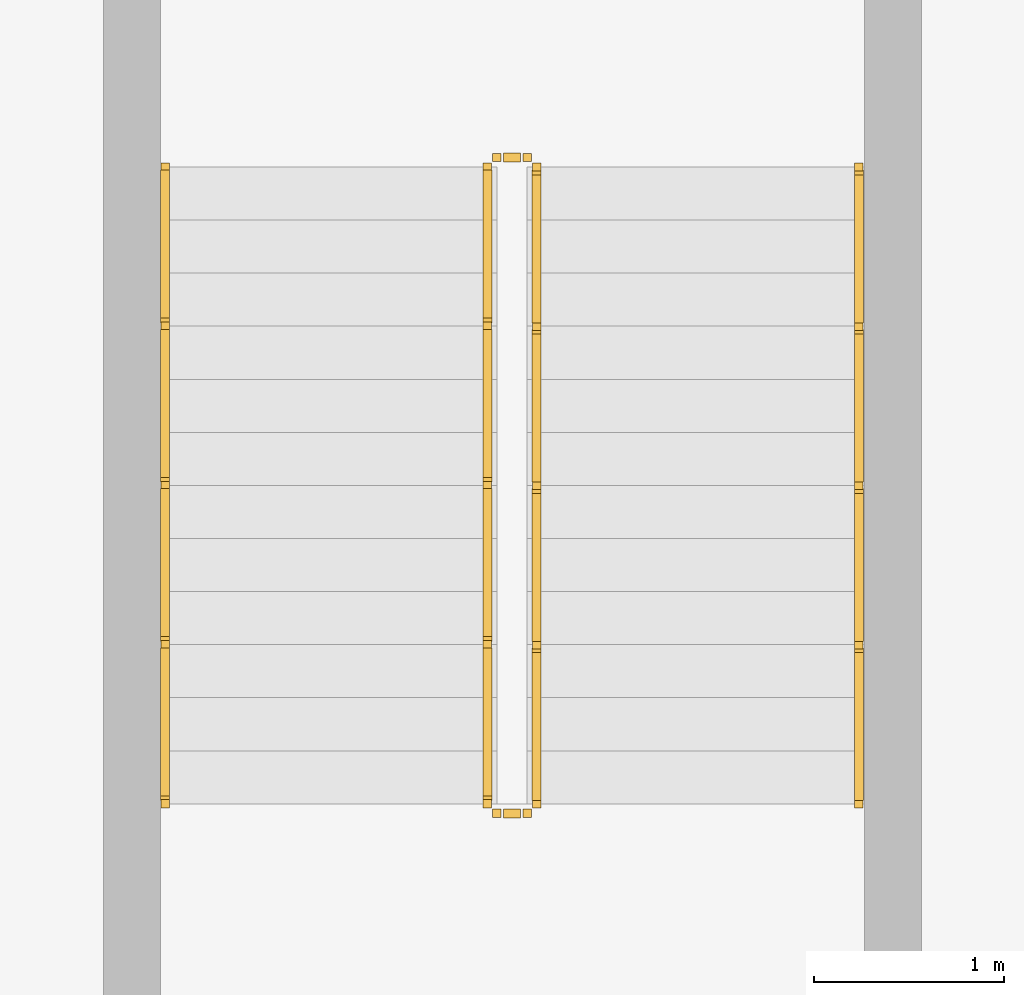
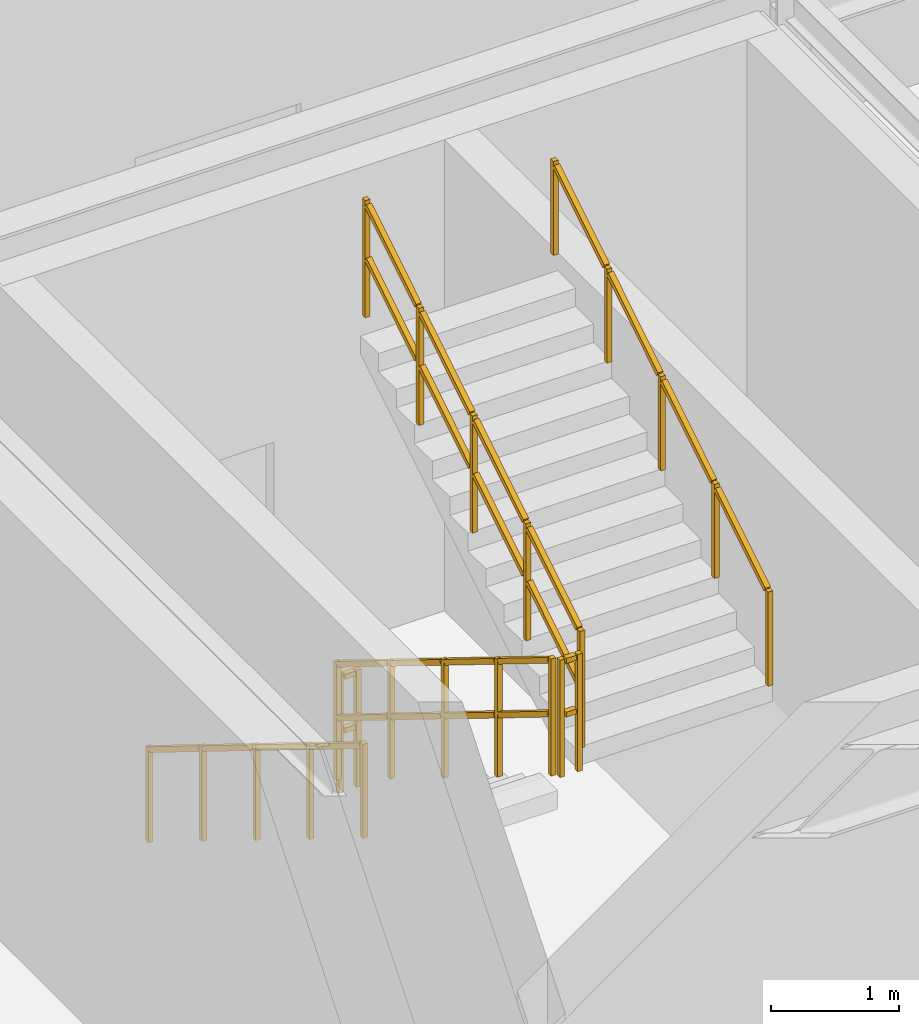
# One storey, part 49 of 59: 6 railings.
"""IFC4 building model written with IfcOpenShell, lengths in metres."""

from ifc_helpers import new_model, si_unit, direction, frame, origin, origin_2d, place, context, subcontext, project, spatial, rectangle, extrude, material, type_object, element, save


model = new_model("IFC4")

# Units and contexts
model_context = context("Model", 3, precision=1e-05, world=origin(), true_north=direction((0.0, 1.0)))
body_context = subcontext(model_context, "Body", "Model", "MODEL_VIEW")
ifc_project = project(units=[si_unit("LENGTHUNIT", "METRE"), si_unit("AREAUNIT", "SQUARE_METRE"), si_unit("VOLUMEUNIT", "CUBIC_METRE"), si_unit("PLANEANGLEUNIT", "RADIAN"), si_unit("MASSUNIT", "GRAM", prefix="KILO")], contexts=[model_context])

# Site, building, storey
site_placement = place(None, origin())
site = spatial("IfcSite", under=ifc_project, at=site_placement, CompositionType="ELEMENT")
building_placement = place(site_placement, origin())
building = spatial("IfcBuilding", under=site, at=building_placement, Name="Myrtia Square Station", CompositionType="ELEMENT")
storey_placement = place(building_placement, frame((0.0, 0.0, -4.5)))
storey = spatial("IfcBuildingStorey", under=building, at=storey_placement, Name="B01", CompositionType="ELEMENT", Elevation=-4.5)

# Railings
ifc_material_1 = material(Name="Dark bronze anodised aluminium", Category="aluminium")
railing_type_1 = type_object("IfcRailingType", Name="RL-HANDRAIL-900", PredefinedType="HANDRAIL", material=ifc_material_1)
railing_1_placement = place(storey_placement, frame((118.699951171875, 16.35009765625, 0.173095703125)))
element("IfcRailing", 1, at=railing_1_placement, inside=storey, type_object=railing_type_1, Name="B01 ST05 stair handrail 1", PredefinedType="HANDRAIL", context=body_context, shape_type="SweptSolid", body=[
    extrude(rectangle(XDim=0.048095703125, YDim=0.048095703125, at=origin_2d()), frame((0.0, -0.029541015625, 0.89404296875), z_axis=(0.0, -0.850623216509, 0.525775754039), x_axis=(1.0, 0.0, 0.0)), (0.0, 0.0, 1.0), 0.918212890625),
    extrude(rectangle(XDim=0.048095703125, YDim=0.048095703125, at=origin_2d()), frame((0.0, -0.869384765625, 1.413330078125), z_axis=(0.0, -0.850623216509, 0.525775754039), x_axis=(1.0, 0.0, 0.0)), (0.0, 0.0, 1.0), 0.918212890625),
    extrude(rectangle(XDim=0.048095703125, YDim=0.048095703125, at=origin_2d()), frame((0.0, -1.70947265625, 1.9326171875), z_axis=(0.0, -0.850623216509, 0.525775754039), x_axis=(1.0, 0.0, 0.0)), (0.0, 0.0, 1.0), 0.918212890625),
    extrude(rectangle(XDim=0.048095703125, YDim=0.048095703125, at=origin_2d()), frame((0.0, -2.549560546875, 2.45166015625), z_axis=(0.0, -0.850623216509, 0.525775754039), x_axis=(1.0, 0.0, 0.0)), (0.0, 0.0, 1.0), 0.918212890625),
    extrude(rectangle(XDim=0.0439453125, YDim=0.0439453125, at=origin_2d()), origin(), (0.0, 0.0, 1.0), 0.89990234375),
    extrude(rectangle(XDim=0.0439453125, YDim=0.0439453125, at=origin_2d()), frame((0.0, -0.840087890625, 0.519287109375)), (0.0, 0.0, 1.0), 0.89990234375),
    extrude(rectangle(XDim=0.0439453125, YDim=0.0439453125, at=origin_2d()), frame((0.0, -1.68017578125, 1.03857421875)), (0.0, 0.0, 1.0), 0.89990234375),
    extrude(rectangle(XDim=0.0439453125, YDim=0.0439453125, at=origin_2d()), frame((0.0, -2.52001953125, 1.5576171875)), (0.0, 0.0, 1.0), 0.89990234375),
    extrude(rectangle(XDim=0.0439453125, YDim=0.0439453125, at=origin_2d()), frame((0.0, -3.360107421875, 2.076904296875)), (0.0, 0.0, 1.0), 0.89990234375),
])
railing_2_placement = place(storey_placement, frame((122.360107421875, 12.989990234375, 2.423095703125)))
element("IfcRailing", 2, at=railing_2_placement, inside=storey, type_object=railing_type_1, Name="B01 ST05 stair handrail 2", PredefinedType="HANDRAIL", context=body_context, shape_type="SweptSolid", body=[
    extrude(rectangle(XDim=0.048095703125, YDim=0.048095703125, at=origin_2d()), frame((0.0, 0.029541015625, 0.89404296875), z_axis=(0.0, 0.850623216509, 0.525775754039), x_axis=(-1.0, 0.0, 0.0)), (0.0, 0.0, 1.0), 0.918212890625),
    extrude(rectangle(XDim=0.048095703125, YDim=0.048095703125, at=origin_2d()), frame((0.0, 0.869384765625, 1.413330078125), z_axis=(0.0, 0.850623216509, 0.525775754039), x_axis=(-1.0, 0.0, 0.0)), (0.0, 0.0, 1.0), 0.918212890625),
    extrude(rectangle(XDim=0.048095703125, YDim=0.048095703125, at=origin_2d()), frame((0.0, 1.70947265625, 1.9326171875), z_axis=(0.0, 0.850623216509, 0.525775754039), x_axis=(-1.0, 0.0, 0.0)), (0.0, 0.0, 1.0), 0.918212890625),
    extrude(rectangle(XDim=0.048095703125, YDim=0.048095703125, at=origin_2d()), frame((0.0, 2.549560546875, 2.45166015625), z_axis=(0.0, 0.850623216509, 0.525775754039), x_axis=(-1.0, 0.0, 0.0)), (0.0, 0.0, 1.0), 0.918212890625),
    extrude(rectangle(XDim=0.0439453125, YDim=0.0439453125, at=origin_2d()), origin(), (0.0, 0.0, 1.0), 0.89990234375),
    extrude(rectangle(XDim=0.0439453125, YDim=0.0439453125, at=origin_2d()), frame((0.0, 0.840087890625, 0.519287109375)), (0.0, 0.0, 1.0), 0.89990234375),
    extrude(rectangle(XDim=0.0439453125, YDim=0.0439453125, at=origin_2d()), frame((0.0, 1.68017578125, 1.03857421875)), (0.0, 0.0, 1.0), 0.89990234375),
    extrude(rectangle(XDim=0.0439453125, YDim=0.0439453125, at=origin_2d()), frame((0.0, 2.52001953125, 1.5576171875)), (0.0, 0.0, 1.0), 0.89990234375),
    extrude(rectangle(XDim=0.0439453125, YDim=0.0439453125, at=origin_2d()), frame((0.0, 3.360107421875, 2.076904296875)), (0.0, 0.0, 1.0), 0.89990234375),
])
ifc_material_2 = material(Name="Wrought iron", Category="steel")
railing_type_2 = type_object("IfcRailingType", Name="RL-INT-GUARD-1100", PredefinedType="BALUSTRADE", material=ifc_material_2)
railing_3_placement = place(storey_placement, frame((120.39990234375, 16.35009765625, 0.173095703125)))
element("IfcRailing", 3, at=railing_3_placement, inside=storey, type_object=railing_type_2, Name="B01 ST05 stair guard 1", PredefinedType="BALUSTRADE", context=body_context, shape_type="SweptSolid", body=[
    extrude(rectangle(XDim=0.048095703125, YDim=0.048095703125, at=origin_2d()), frame((0.0, -0.029541015625, 1.1142578125), z_axis=(0.0, -0.850623216509, 0.525775754039), x_axis=(1.0, 0.0, 0.0)), (0.0, 0.0, 1.0), 0.918212890625),
    extrude(rectangle(XDim=0.048095703125, YDim=0.048095703125, at=origin_2d()), frame((0.0, -0.029541015625, 0.6005859375), z_axis=(0.0, -0.850623216509, 0.525775754039), x_axis=(1.0, 0.0, 0.0)), (0.0, 0.0, 1.0), 0.918212890625),
    extrude(rectangle(XDim=0.048095703125, YDim=0.048095703125, at=origin_2d()), frame((0.0, -0.869384765625, 1.633544921875), z_axis=(0.0, -0.850623216509, 0.525775754039), x_axis=(1.0, 0.0, 0.0)), (0.0, 0.0, 1.0), 0.918212890625),
    extrude(rectangle(XDim=0.048095703125, YDim=0.048095703125, at=origin_2d()), frame((0.0, -0.869384765625, 1.119873046875), z_axis=(0.0, -0.850623216509, 0.525775754039), x_axis=(1.0, 0.0, 0.0)), (0.0, 0.0, 1.0), 0.918212890625),
    extrude(rectangle(XDim=0.048095703125, YDim=0.048095703125, at=origin_2d()), frame((0.0, -1.70947265625, 2.15283203125), z_axis=(0.0, -0.850623216509, 0.525775754039), x_axis=(1.0, 0.0, 0.0)), (0.0, 0.0, 1.0), 0.918212890625),
    extrude(rectangle(XDim=0.048095703125, YDim=0.048095703125, at=origin_2d()), frame((0.0, -1.70947265625, 1.63916015625), z_axis=(0.0, -0.850623216509, 0.525775754039), x_axis=(1.0, 0.0, 0.0)), (0.0, 0.0, 1.0), 0.918212890625),
    extrude(rectangle(XDim=0.048095703125, YDim=0.048095703125, at=origin_2d()), frame((0.0, -2.549560546875, 2.671875), z_axis=(0.0, -0.850623216509, 0.525775754039), x_axis=(1.0, 0.0, 0.0)), (0.0, 0.0, 1.0), 0.918212890625),
    extrude(rectangle(XDim=0.048095703125, YDim=0.048095703125, at=origin_2d()), frame((0.0, -2.549560546875, 2.158447265625), z_axis=(0.0, -0.850623216509, 0.525775754039), x_axis=(1.0, 0.0, 0.0)), (0.0, 0.0, 1.0), 0.918212890625),
    extrude(rectangle(XDim=0.0439453125, YDim=0.0439453125, at=origin_2d()), origin(), (0.0, 0.0, 1.0), 1.1201171875),
    extrude(rectangle(XDim=0.0439453125, YDim=0.0439453125, at=origin_2d()), frame((0.0, -0.840087890625, 0.519287109375)), (0.0, 0.0, 1.0), 1.1201171875),
    extrude(rectangle(XDim=0.0439453125, YDim=0.0439453125, at=origin_2d()), frame((0.0, -1.68017578125, 1.03857421875)), (0.0, 0.0, 1.0), 1.1201171875),
    extrude(rectangle(XDim=0.0439453125, YDim=0.0439453125, at=origin_2d()), frame((0.0, -2.52001953125, 1.5576171875)), (0.0, 0.0, 1.0), 1.1201171875),
    extrude(rectangle(XDim=0.0439453125, YDim=0.0439453125, at=origin_2d()), frame((0.0, -3.360107421875, 2.076904296875)), (0.0, 0.0, 1.0), 1.1201171875),
])
railing_4_placement = place(storey_placement, frame((120.449951171875, 12.93994140625, 2.25)))
element("IfcRailing", 4, at=railing_4_placement, inside=storey, type_object=railing_type_2, Name="B01 ST05 stair guard 2", PredefinedType="BALUSTRADE", context=body_context, shape_type="SweptSolid", body=[
    extrude(rectangle(XDim=0.048095703125, YDim=0.048095703125, at=origin_2d()), frame((0.03466796875, 0.0, 1.09619140625), z_axis=(1.0, 0.0, 0.0), x_axis=(0.0, 1.0, 0.0)), (0.0, 0.0, 1.0), 0.0908203125),
    extrude(rectangle(XDim=0.048095703125, YDim=0.048095703125, at=origin_2d()), frame((0.03466796875, 0.0, 0.58251953125), z_axis=(1.0, 0.0, 0.0), x_axis=(0.0, 1.0, 0.0)), (0.0, 0.0, 1.0), 0.0908203125),
    extrude(rectangle(XDim=0.0439453125, YDim=0.0439453125, at=origin_2d()), origin(), (0.0, 0.0, 1.0), 1.1201171875),
    extrude(rectangle(XDim=0.0439453125, YDim=0.0439453125, at=origin_2d()), frame((0.16015625, 0.0, 0.0)), (0.0, 0.0, 1.0), 1.1201171875),
])
railing_5_placement = place(storey_placement, frame((120.659912109375, 12.989990234375, 2.423095703125)))
element("IfcRailing", 5, at=railing_5_placement, inside=storey, type_object=railing_type_2, Name="B01 ST05 stair guard 3", PredefinedType="BALUSTRADE", context=body_context, shape_type="SweptSolid", body=[
    extrude(rectangle(XDim=0.048095703125, YDim=0.048095703125, at=origin_2d()), frame((0.0, 0.029541015625, 1.1142578125), z_axis=(0.0, 0.850623216509, 0.525775754039), x_axis=(-1.0, 0.0, 0.0)), (0.0, 0.0, 1.0), 0.918212890625),
    extrude(rectangle(XDim=0.048095703125, YDim=0.048095703125, at=origin_2d()), frame((0.0, 0.029541015625, 0.6005859375), z_axis=(0.0, 0.850623216509, 0.525775754039), x_axis=(-1.0, 0.0, 0.0)), (0.0, 0.0, 1.0), 0.918212890625),
    extrude(rectangle(XDim=0.048095703125, YDim=0.048095703125, at=origin_2d()), frame((0.0, 0.869384765625, 1.633544921875), z_axis=(0.0, 0.850623216509, 0.525775754039), x_axis=(-1.0, 0.0, 0.0)), (0.0, 0.0, 1.0), 0.918212890625),
    extrude(rectangle(XDim=0.048095703125, YDim=0.048095703125, at=origin_2d()), frame((0.0, 0.869384765625, 1.119873046875), z_axis=(0.0, 0.850623216509, 0.525775754039), x_axis=(-1.0, 0.0, 0.0)), (0.0, 0.0, 1.0), 0.918212890625),
    extrude(rectangle(XDim=0.048095703125, YDim=0.048095703125, at=origin_2d()), frame((0.0, 1.70947265625, 2.15283203125), z_axis=(0.0, 0.850623216509, 0.525775754039), x_axis=(-1.0, 0.0, 0.0)), (0.0, 0.0, 1.0), 0.918212890625),
    extrude(rectangle(XDim=0.048095703125, YDim=0.048095703125, at=origin_2d()), frame((0.0, 1.70947265625, 1.63916015625), z_axis=(0.0, 0.850623216509, 0.525775754039), x_axis=(-1.0, 0.0, 0.0)), (0.0, 0.0, 1.0), 0.918212890625),
    extrude(rectangle(XDim=0.048095703125, YDim=0.048095703125, at=origin_2d()), frame((0.0, 2.549560546875, 2.671875), z_axis=(0.0, 0.850623216509, 0.525775754039), x_axis=(-1.0, 0.0, 0.0)), (0.0, 0.0, 1.0), 0.918212890625),
    extrude(rectangle(XDim=0.048095703125, YDim=0.048095703125, at=origin_2d()), frame((0.0, 2.549560546875, 2.158447265625), z_axis=(0.0, 0.850623216509, 0.525775754039), x_axis=(-1.0, 0.0, 0.0)), (0.0, 0.0, 1.0), 0.918212890625),
    extrude(rectangle(XDim=0.0439453125, YDim=0.0439453125, at=origin_2d()), origin(), (0.0, 0.0, 1.0), 1.1201171875),
    extrude(rectangle(XDim=0.0439453125, YDim=0.0439453125, at=origin_2d()), frame((0.0, 0.840087890625, 0.519287109375)), (0.0, 0.0, 1.0), 1.1201171875),
    extrude(rectangle(XDim=0.0439453125, YDim=0.0439453125, at=origin_2d()), frame((0.0, 1.68017578125, 1.03857421875)), (0.0, 0.0, 1.0), 1.1201171875),
    extrude(rectangle(XDim=0.0439453125, YDim=0.0439453125, at=origin_2d()), frame((0.0, 2.52001953125, 1.5576171875)), (0.0, 0.0, 1.0), 1.1201171875),
    extrude(rectangle(XDim=0.0439453125, YDim=0.0439453125, at=origin_2d()), frame((0.0, 3.360107421875, 2.076904296875)), (0.0, 0.0, 1.0), 1.1201171875),
])
railing_6_placement = place(storey_placement, frame((120.449951171875, 16.39990234375, 0.0)))
element("IfcRailing", 6, at=railing_6_placement, inside=storey, type_object=railing_type_2, Name="B01 ST05 stair guard 4", PredefinedType="BALUSTRADE", context=body_context, shape_type="SweptSolid", body=[
    extrude(rectangle(XDim=0.048095703125, YDim=0.048095703125, at=origin_2d()), frame((0.03466796875, 0.0, 1.09619140625), z_axis=(1.0, 0.0, 0.0), x_axis=(0.0, 1.0, 0.0)), (0.0, 0.0, 1.0), 0.0908203125),
    extrude(rectangle(XDim=0.048095703125, YDim=0.048095703125, at=origin_2d()), frame((0.03466796875, 0.0, 0.58251953125), z_axis=(1.0, 0.0, 0.0), x_axis=(0.0, 1.0, 0.0)), (0.0, 0.0, 1.0), 0.0908203125),
    extrude(rectangle(XDim=0.0439453125, YDim=0.0439453125, at=origin_2d()), origin(), (0.0, 0.0, 1.0), 1.1201171875),
    extrude(rectangle(XDim=0.0439453125, YDim=0.0439453125, at=origin_2d()), frame((0.16015625, 0.0, 0.0)), (0.0, 0.0, 1.0), 1.1201171875),
])

save(model, "model.ifc")
